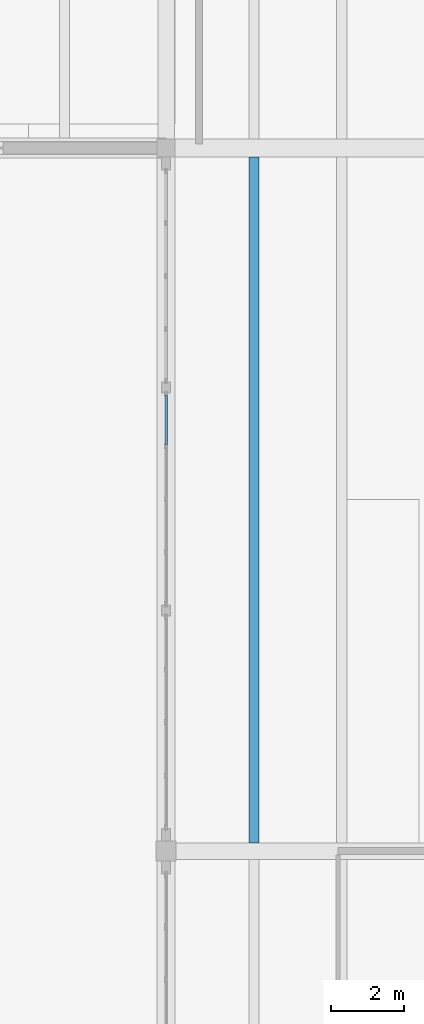
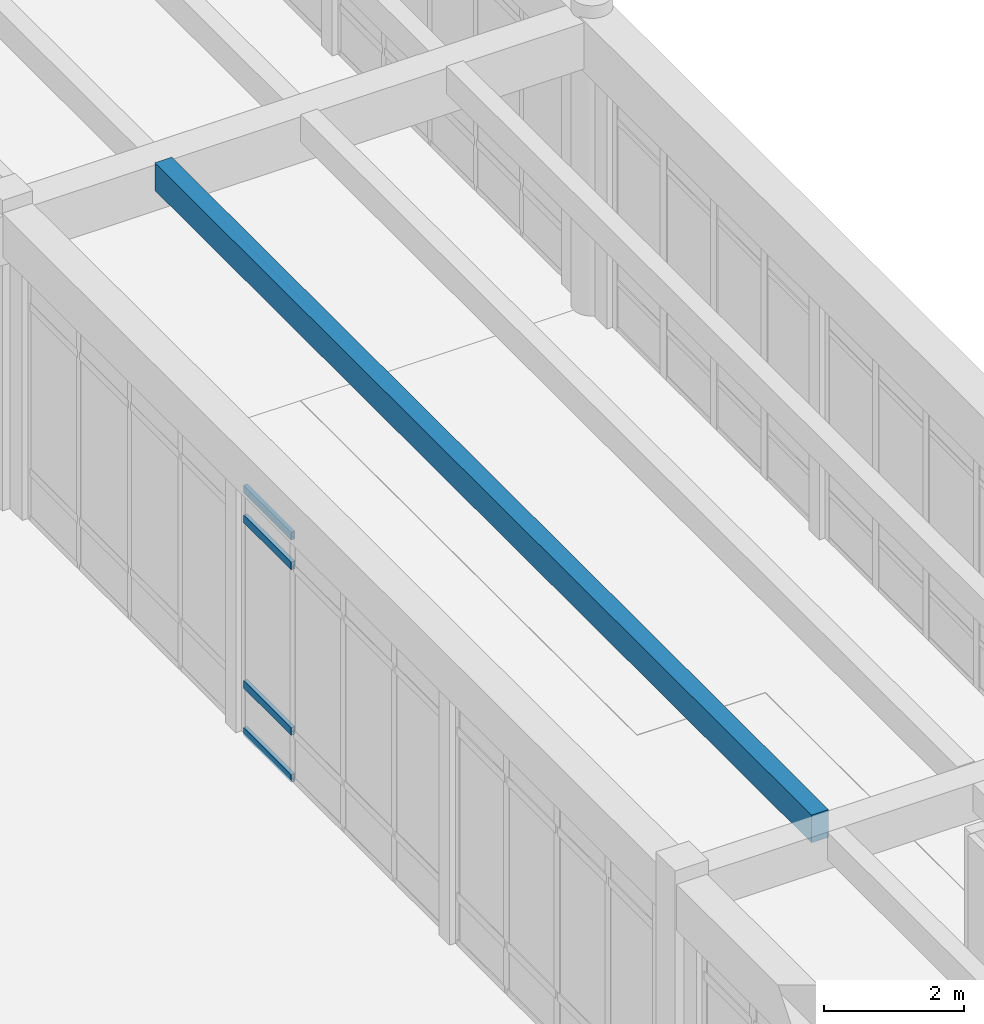
# One storey, part 44 of 138: 4 members, 1 beam, 1 element without a shape of its own.
"""IFC4 building model written with IfcOpenShell, lengths in metres."""

from ifc_helpers import new_model, si_unit, direction, frame, origin, origin_2d, place, context, subcontext, project, spatial, rectangle, hollow_rectangle, extrude, material, layer, layer_set, material_profile, profile_set, type_object, element, aggregate, save


model = new_model("IFC4")

# Units and contexts
model_context = context("Model", 3, precision=1e-05, world=origin(), true_north=direction((0.0, 1.0)))
body_context = subcontext(model_context, "Body", "Model", "MODEL_VIEW")
ifc_project = project(units=[si_unit("LENGTHUNIT", "METRE"), si_unit("AREAUNIT", "SQUARE_METRE"), si_unit("VOLUMEUNIT", "CUBIC_METRE"), si_unit("PLANEANGLEUNIT", "RADIAN"), si_unit("MASSUNIT", "GRAM", prefix="KILO")], contexts=[model_context])

# Site, building, storey
site_placement = place(None, origin())
site = spatial("IfcSite", under=ifc_project, at=site_placement, CompositionType="ELEMENT")
building_placement = place(site_placement, origin())
building = spatial("IfcBuilding", under=site, at=building_placement, Name="Fikremerkos Civic Library", CompositionType="ELEMENT")
storey_placement = place(building_placement, origin())
storey = spatial("IfcBuildingStorey", under=building, at=storey_placement, Name="L00", CompositionType="ELEMENT", Elevation=0.0)

# Curtain wall, members
ifc_material_1 = material(Name="Anodized aluminium Frame", Category="aluminium")
ifc_layer = layer(ifc_material_1, 0.159912109375, Name="Anodized aluminium Frame")
ifc_layer_set = layer_set([ifc_layer], Name="Anodized aluminium Frame")
curtain_wall_type = type_object("IfcCurtainWallType", Name="Unitised curtain wall CW-11 3200x3400", PredefinedType="USERDEFINED", material=ifc_layer_set)
curtain_wall_placement = place(storey_placement, origin())
curtain_wall = element("IfcCurtainWall", 1, at=curtain_wall_placement, inside=storey, type_object=curtain_wall_type, Name="Unitised curtain wall CW-11 L00 #29", ObjectType="UNITISED CURTAIN WALL", PredefinedType="USERDEFINED")
ifc_material_profile_1 = material_profile(ifc_material_1, hollow_rectangle(XDim=0.06494140625, YDim=0.135009765625, WallThickness=0.00439453125, at=origin_2d()), Name="ALU 135x65x4.5")
ifc_profile_set_1 = profile_set([ifc_material_profile_1], Name="Anodized aluminium Frame")
member_type = type_object("IfcMemberType", Name="Curtain transom CWT-02 ALU 135x65x4.5", PredefinedType="USERDEFINED", material=ifc_profile_set_1)
member_1_placement = place(storey_placement, frame((124.800048828125, 87.890869140625, 0.032470703125), z_axis=(0.0, 1.0, 0.0), x_axis=(-1.0, 0.0, 0.0)))
member_1 = element("IfcMember", 2, at=member_1_placement, type_object=member_type, Name="CW-11 transom 4.1", ObjectType="TRANSOM", PredefinedType="USERDEFINED", context=body_context, shape_type="SweptSolid", body=[
    extrude(hollow_rectangle(XDim=0.06494140625, YDim=0.135009765625, WallThickness=0.00439453125, at=origin_2d()), origin(), (0.0, 0.0, 1.0), 1.358154296875),
])
member_2_placement = place(storey_placement, frame((124.800048828125, 87.890869140625, 0.85009765625), z_axis=(0.0, 1.0, 0.0), x_axis=(-1.0, 0.0, 0.0)))
member_2 = element("IfcMember", 3, at=member_2_placement, type_object=member_type, Name="CW-11 transom 4.2", ObjectType="TRANSOM", PredefinedType="USERDEFINED", context=body_context, shape_type="SweptSolid", body=[
    extrude(hollow_rectangle(XDim=0.06494140625, YDim=0.135009765625, WallThickness=0.00439453125, at=origin_2d()), origin(), (0.0, 0.0, 1.0), 1.358154296875),
])
member_3_placement = place(storey_placement, frame((124.800048828125, 87.890869140625, 3.72998046875), z_axis=(0.0, 1.0, 0.0), x_axis=(-1.0, 0.0, 0.0)))
member_3 = element("IfcMember", 4, at=member_3_placement, type_object=member_type, Name="CW-11 transom 4.3", ObjectType="TRANSOM", PredefinedType="USERDEFINED", context=body_context, shape_type="SweptSolid", body=[
    extrude(hollow_rectangle(XDim=0.06494140625, YDim=0.135009765625, WallThickness=0.00439453125, at=origin_2d()), origin(), (0.0, 0.0, 1.0), 1.358154296875),
])
member_4_placement = place(storey_placement, frame((124.800048828125, 87.890869140625, 4.24755859375), z_axis=(0.0, 1.0, 0.0), x_axis=(-1.0, 0.0, 0.0)))
member_4 = element("IfcMember", 5, at=member_4_placement, type_object=member_type, Name="CW-11 transom 4.4", ObjectType="TRANSOM", PredefinedType="USERDEFINED", context=body_context, shape_type="SweptSolid", body=[
    extrude(hollow_rectangle(XDim=0.06494140625, YDim=0.135009765625, WallThickness=0.00439453125, at=origin_2d()), origin(), (0.0, 0.0, 1.0), 1.358154296875),
])
aggregate(curtain_wall, [member_1, member_2, member_3, member_4])

# Beam
ifc_material_2 = material(Name="Concrete C40/50", Category="concrete")
ifc_material_profile_2 = material_profile(ifc_material_2, rectangle(XDim=0.280029296875, YDim=0.47998046875, at=origin_2d()), Name="RC 280x480")
ifc_profile_set_2 = profile_set([ifc_material_profile_2], Name="Concrete C40/50")
beam_type = type_object("IfcBeamType", Name="Floor joist JS-04 RC 280x480", PredefinedType="JOIST", material=ifc_profile_set_2)
beam_placement = place(storey_placement, frame((127.199951171875, 77.02490234375, 4.93994140625), z_axis=(0.0, 1.0, 0.0), x_axis=(-1.0, 0.0, 0.0)))
element("IfcBeam", 6, at=beam_placement, inside=storey, type_object=beam_type, Name="Floor joist JS-04 L00 #367", PredefinedType="JOIST", context=body_context, shape_type="SweptSolid", body=[
    extrude(rectangle(XDim=0.280029296875, YDim=0.47998046875, at=origin_2d()), origin(), (0.0, 0.0, 1.0), 18.72509765625),
])

save(model, "model.ifc")
